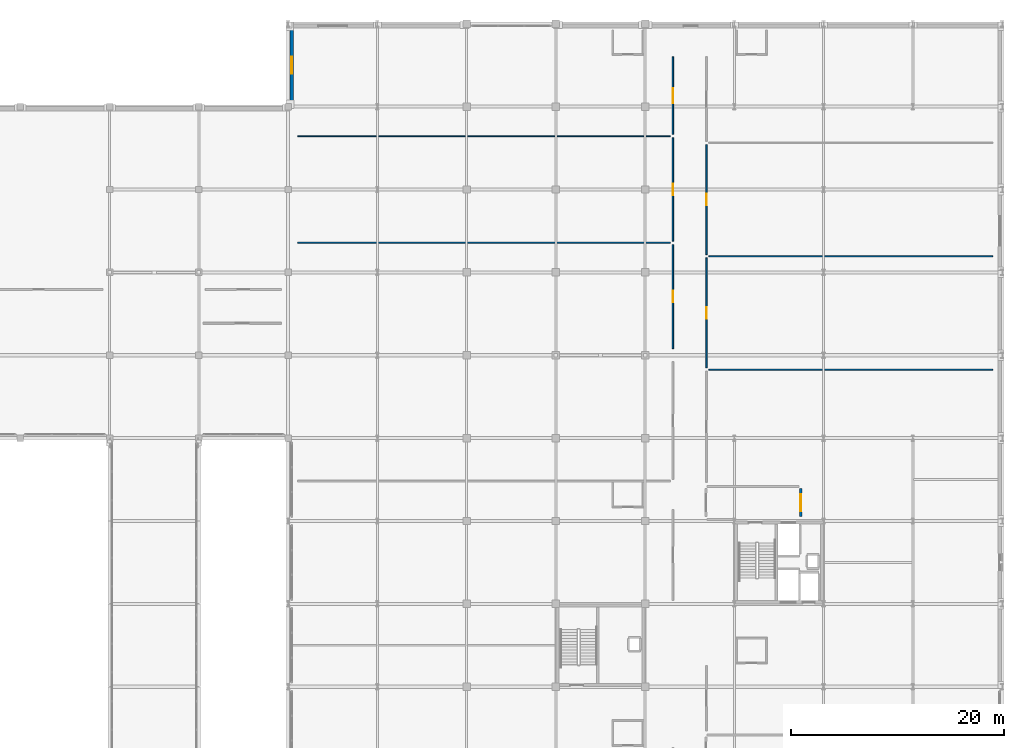
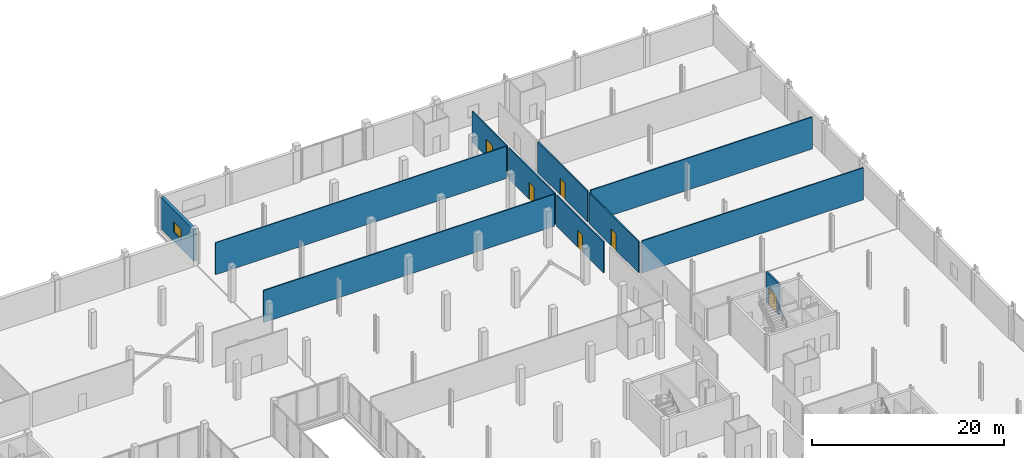
# One storey, part 76 of 98: 11 walls, 6 doors, 1 window, 7 openings.
"""IFC4 building model written with IfcOpenShell, lengths in metres."""

from ifc_helpers import new_model, si_unit, direction, frame, frame_2d, origin, place, context, subcontext, project, spatial, rectangle, extrude, material, layer, layer_set, type_object, element, fill, save


model = new_model("IFC4")

# Units and contexts
model_context = context("Model", 3, precision=1e-05, world=origin(), true_north=direction((0.0, 1.0)))
body_context = subcontext(model_context, "Body", "Model", "MODEL_VIEW")
ifc_project = project(units=[si_unit("LENGTHUNIT", "METRE"), si_unit("AREAUNIT", "SQUARE_METRE"), si_unit("VOLUMEUNIT", "CUBIC_METRE"), si_unit("PLANEANGLEUNIT", "RADIAN"), si_unit("MASSUNIT", "GRAM", prefix="KILO")], contexts=[model_context])

# Site, building, storey
site_placement = place(None, origin())
site = spatial("IfcSite", under=ifc_project, at=site_placement, CompositionType="ELEMENT")
building_placement = place(site_placement, origin())
building = spatial("IfcBuilding", under=site, at=building_placement, Name="Nabrawat Pavilion Hospital", CompositionType="ELEMENT")
storey_placement = place(building_placement, frame((0.0, 0.0, 10.199951171875)))
storey = spatial("IfcBuildingStorey", under=building, at=storey_placement, Name="L02", CompositionType="ELEMENT", Elevation=10.199951171875)

# Wall
ifc_material_1 = material(Name="Gypsum Plasterboard on Stud", Category="gypsum")
ifc_layer_1 = layer(ifc_material_1, 0.10009765625, Name="Gypsum Plasterboard on Stud")
ifc_layer_set_1 = layer_set([ifc_layer_1], Name="Gypsum Plasterboard on Stud")
wall_type_1 = type_object("IfcWallType", Name="Clean Utility Sub-Partition 100", PredefinedType="PARTITIONING", material=ifc_layer_set_1)
wall_1_placement = place(storey_placement, frame((126.889892578125, 114.219970703125, 0.0), z_axis=(0.0, 0.0, 1.0), x_axis=(1.0, 0.0, 0.0)))
element("IfcWall", 1, at=wall_1_placement, inside=storey, type_object=wall_type_1, Name="L02 Surgical Step-Down Acute Clinical Care Hub L02-06 Dividing Partition", PredefinedType="PARTITIONING", context=body_context, shape_type="SweptSolid", body=[
    extrude(rectangle(XDim=35.10009765625, YDim=0.10009765625, at=frame_2d((17.550048828125, 0.0))), origin(), (0.0, 0.0, 1.0), 4.080078125),
])

# Wall, opening, door
ifc_material_2 = material(Name="Gypsum Fireboard on Steel Stud", Category="steel")
ifc_layer_2 = layer(ifc_material_2, 0.14990234375, Name="Gypsum Fireboard on Steel Stud")
ifc_layer_set_2 = layer_set([ifc_layer_2], Name="Gypsum Fireboard on Steel Stud")
wall_type_2 = type_object("IfcWallType", Name="Clinical Corridor Smoke-Barrier Wall 150", PredefinedType="PARTITIONING", material=ifc_layer_set_2)
wall_2_placement = place(storey_placement, frame((162.2099609375, 94.219970703125, 0.0), z_axis=(0.0, 0.0, 1.0), x_axis=(0.0, 1.0, 0.0)))
wall_2 = element("IfcWall", 2, at=wall_2_placement, inside=storey, type_object=wall_type_2, Name="L02 Patient Quiet Reading Lounge L02-05 Front Partition", PredefinedType="PARTITIONING", context=body_context, shape_type="SweptSolid", body=[
    extrude(rectangle(XDim=9.800048828125, YDim=0.14990234375, at=frame_2d((4.89990234375, 0.0))), origin(), (0.0, 0.0, 1.0), 3.949951171875),
])
opening_1_placement = place(wall_2_placement, frame((4.375, 0.0, 0.0)))
opening_1 = element("IfcOpeningElement", 3, at=opening_1_placement, cuts=wall_2, Name="Opening D-OPC-R", PredefinedType="OPENING", context=body_context, shape_type="SweptSolid", body=[
    extrude(rectangle(XDim=1.050048828125, YDim=2.14990234375, at=frame_2d((0.52490234375, 1.074951171875))), frame((0.0, 0.0849609375, 0.0), z_axis=(0.0, -1.0, 0.0), x_axis=(1.0, 0.0, 0.0)), (0.0, 0.0, 1.0), 0.169921875),
])
ifc_material_3 = material(Name="Stainless-Clad Acoustic Timber and Vision Glass", Category="wood")
door_type_1 = type_object("IfcDoorType", Name="Outpatient Clinic Consultation Door R 1050x2150", OperationType="NOTDEFINED", PredefinedType="DOOR", material=ifc_material_3)
door_1_placement = place(opening_1_placement, origin())
door_1 = element("IfcDoor", 4, at=door_1_placement, inside=storey, type_object=door_type_1, Name="Patient Quiet Reading Lounge L02-05 Door", OperationType="SINGLE_SWING_LEFT", OverallHeight=2.14990234375, OverallWidth=1.050048828125, PredefinedType="DOOR", context=body_context, shape_type="SweptSolid", body=[
    extrude(rectangle(XDim=1.050048828125, YDim=2.14990234375, at=frame_2d((0.52490234375, 1.074951171875))), frame((0.0, 0.02490234375, 0.0), z_axis=(0.0, -1.0, 0.0), x_axis=(1.0, 0.0, 0.0)), (0.0, 0.0, 1.0), 0.050048828125),
])
fill(opening_1, door_1)

wall_3_placement = place(storey_placement, frame((162.2099609375, 104.340087890625, 0.0), z_axis=(0.0, 0.0, 1.0), x_axis=(0.0, 1.0, 0.0)))
wall_3 = element("IfcWall", 5, at=wall_3_placement, inside=storey, type_object=wall_type_2, Name="L02 Surgical Step-Down Acute Clinical Care Hub L02-06 Front Partition", PredefinedType="PARTITIONING", context=body_context, shape_type="SweptSolid", body=[
    extrude(rectangle(XDim=9.719970703125, YDim=0.14990234375, at=frame_2d((4.85986328125, 0.0))), origin(), (0.0, 0.0, 1.0), 3.949951171875),
])
opening_2_placement = place(wall_3_placement, frame((4.3349609375, 0.0, 0.0)))
opening_2 = element("IfcOpeningElement", 6, at=opening_2_placement, cuts=wall_3, Name="Opening D-OPC-L", PredefinedType="OPENING", context=body_context, shape_type="SweptSolid", body=[
    extrude(rectangle(XDim=1.050048828125, YDim=2.14990234375, at=frame_2d((0.52490234375, 1.074951171875))), frame((0.0, 0.0849609375, 0.0), z_axis=(0.0, -1.0, 0.0), x_axis=(1.0, 0.0, 0.0)), (0.0, 0.0, 1.0), 0.169921875),
])
door_type_2 = type_object("IfcDoorType", Name="Outpatient Clinic Consultation Door L 1050x2150", OperationType="NOTDEFINED", PredefinedType="DOOR", material=ifc_material_3)
door_2_placement = place(opening_2_placement, origin())
door_2 = element("IfcDoor", 7, at=door_2_placement, inside=storey, type_object=door_type_2, Name="Surgical Step-Down Acute Clinical Care Hub L02-06 Door", OperationType="SINGLE_SWING_RIGHT", OverallHeight=2.14990234375, OverallWidth=1.050048828125, PredefinedType="DOOR", context=body_context, shape_type="SweptSolid", body=[
    extrude(rectangle(XDim=1.050048828125, YDim=2.14990234375, at=frame_2d((0.52490234375, 1.074951171875))), frame((0.0, 0.02490234375, 0.0), z_axis=(0.0, -1.0, 0.0), x_axis=(1.0, 0.0, 0.0)), (0.0, 0.0, 1.0), 0.050048828125),
])
fill(opening_2, door_2)

wall_4_placement = place(storey_placement, frame((162.2099609375, 114.3798828125, 0.0), z_axis=(0.0, 0.0, 1.0), x_axis=(0.0, 1.0, 0.0)))
wall_4 = element("IfcWall", 8, at=wall_4_placement, inside=storey, type_object=wall_type_2, Name="L02 Inpatient Ward Surgical Single Bedroom L02-07 Front Partition", PredefinedType="PARTITIONING", context=body_context, shape_type="SweptSolid", body=[
    extrude(rectangle(XDim=7.2900390625, YDim=0.14990234375, at=frame_2d((3.64501953125, 0.0))), origin(), (0.0, 0.0, 1.0), 3.949951171875),
])
opening_3_placement = place(wall_4_placement, frame((2.945068359375, 0.0, 0.0)))
opening_3 = element("IfcOpeningElement", 9, at=opening_3_placement, cuts=wall_4, Name="Opening D-BED", PredefinedType="OPENING", context=body_context, shape_type="SweptSolid", body=[
    extrude(rectangle(XDim=1.39990234375, YDim=2.199951171875, at=frame_2d((0.699951171875, 1.10009765625))), frame((0.0, 0.0849609375, 0.0), z_axis=(0.0, -1.0, 0.0), x_axis=(1.0, 0.0, 0.0)), (0.0, 0.0, 1.0), 0.169921875),
])
door_type_3 = type_object("IfcDoorType", Name="D-BED Inpatient Ward Leaf-and-a-Half Door 1400x2200", OperationType="NOTDEFINED", PredefinedType="DOOR", material=ifc_material_3)
door_3_placement = place(opening_3_placement, origin())
door_3 = element("IfcDoor", 10, at=door_3_placement, inside=storey, type_object=door_type_3, Name="Inpatient Ward Surgical Single Bedroom L02-07 Door", OperationType="SINGLE_SWING_LEFT", OverallHeight=2.199951171875, OverallWidth=1.39990234375, PredefinedType="DOOR", context=body_context, shape_type="SweptSolid", body=[
    extrude(rectangle(XDim=1.39990234375, YDim=2.199951171875, at=frame_2d((0.699951171875, 1.10009765625))), frame((0.0, 0.02490234375, 0.0), z_axis=(0.0, -1.0, 0.0), x_axis=(1.0, 0.0, 0.0)), (0.0, 0.0, 1.0), 0.050048828125),
])
fill(opening_3, door_3)

wall_5_placement = place(storey_placement, frame((165.389892578125, 92.402587890625, 0.0), z_axis=(0.0, 0.0, 1.0), x_axis=(0.0, 1.0, 0.0)))
wall_5 = element("IfcWall", 11, at=wall_5_placement, inside=storey, type_object=wall_type_2, Name="L02 Patient Quiet Reading Lounge L02-11 Front Partition", PredefinedType="PARTITIONING", context=body_context, shape_type="SweptSolid", body=[
    extrude(rectangle(XDim=10.352294921875, YDim=0.14990234375, at=frame_2d((5.17626953125, 0.0))), origin(), (0.0, 0.0, 1.0), 3.949951171875),
])
opening_4_placement = place(wall_5_placement, frame((4.651123046875, 0.0, 0.0)))
opening_4 = element("IfcOpeningElement", 12, at=opening_4_placement, cuts=wall_5, Name="Opening D-OPC-R", PredefinedType="OPENING", context=body_context, shape_type="SweptSolid", body=[
    extrude(rectangle(XDim=1.050048828125, YDim=2.14990234375, at=frame_2d((0.52490234375, 1.074951171875))), frame((0.0, 0.0849609375, 0.0), z_axis=(0.0, -1.0, 0.0), x_axis=(1.0, 0.0, 0.0)), (0.0, 0.0, 1.0), 0.169921875),
])
door_4_placement = place(opening_4_placement, origin())
door_4 = element("IfcDoor", 13, at=door_4_placement, inside=storey, type_object=door_type_1, Name="Patient Quiet Reading Lounge L02-11 Door", OperationType="SINGLE_SWING_LEFT", OverallHeight=2.14990234375, OverallWidth=1.050048828125, PredefinedType="DOOR", context=body_context, shape_type="SweptSolid", body=[
    extrude(rectangle(XDim=1.050048828125, YDim=2.14990234375, at=frame_2d((0.52490234375, 1.074951171875))), frame((0.0, 0.02490234375, 0.0), z_axis=(0.0, -1.0, 0.0), x_axis=(1.0, 0.0, 0.0)), (0.0, 0.0, 1.0), 0.050048828125),
])
fill(opening_4, door_4)

wall_6_placement = place(storey_placement, frame((165.389892578125, 103.074951171875, 0.0), z_axis=(0.0, 0.0, 1.0), x_axis=(0.0, 1.0, 0.0)))
wall_6 = element("IfcWall", 14, at=wall_6_placement, inside=storey, type_object=wall_type_2, Name="L02 Surgical Step-Down Acute Clinical Care Hub L02-12 Front Partition", PredefinedType="PARTITIONING", context=body_context, shape_type="SweptSolid", body=[
    extrude(rectangle(XDim=10.3525390625, YDim=0.14990234375, at=frame_2d((5.17626953125, 0.0))), origin(), (0.0, 0.0, 1.0), 3.949951171875),
])
opening_5_placement = place(wall_6_placement, frame((4.651123046875, 0.0, 0.0)))
opening_5 = element("IfcOpeningElement", 15, at=opening_5_placement, cuts=wall_6, Name="Opening D-OPC-L", PredefinedType="OPENING", context=body_context, shape_type="SweptSolid", body=[
    extrude(rectangle(XDim=1.050048828125, YDim=2.14990234375, at=frame_2d((0.52490234375, 1.074951171875))), frame((0.0, 0.0849609375, 0.0), z_axis=(0.0, -1.0, 0.0), x_axis=(1.0, 0.0, 0.0)), (0.0, 0.0, 1.0), 0.169921875),
])
door_5_placement = place(opening_5_placement, origin())
door_5 = element("IfcDoor", 16, at=door_5_placement, inside=storey, type_object=door_type_2, Name="Surgical Step-Down Acute Clinical Care Hub L02-12 Door", OperationType="SINGLE_SWING_RIGHT", OverallHeight=2.14990234375, OverallWidth=1.050048828125, PredefinedType="DOOR", context=body_context, shape_type="SweptSolid", body=[
    extrude(rectangle(XDim=1.050048828125, YDim=2.14990234375, at=frame_2d((0.52490234375, 1.074951171875))), frame((0.0, 0.02490234375, 0.0), z_axis=(0.0, -1.0, 0.0), x_axis=(1.0, 0.0, 0.0)), (0.0, 0.0, 1.0), 0.050048828125),
])
fill(opening_5, door_5)

ifc_material_4 = material(Name="Concrete C35/45", Category="concrete")
ifc_layer_3 = layer(ifc_material_4, 0.199951171875, Name="Concrete C35/45")
ifc_layer_set_3 = layer_set([ifc_layer_3], Name="Concrete C35/45")
wall_type_3 = type_object("IfcWallType", Name="Firefighting Lobby Compartment Wall 200", PredefinedType="PARTITIONING", material=ifc_layer_set_3)
wall_7_placement = place(storey_placement, frame((174.25, 78.39990234375, 0.0), z_axis=(0.0, 0.0, 1.0), x_axis=(0.0, 1.0, 0.0)))
wall_7 = element("IfcWall", 17, at=wall_7_placement, inside=storey, type_object=wall_type_3, Name="L02 CORE-6 Firefighting Lobby East Compartment Wall", PredefinedType="PARTITIONING", context=body_context, shape_type="SweptSolid", body=[
    extrude(rectangle(XDim=2.650146484375, YDim=0.199951171875, at=frame_2d((1.3251953125, 0.0))), origin(), (0.0, 0.0, 1.0), 3.949951171875),
])
opening_6_placement = place(wall_7_placement, frame((0.52490234375, 0.0, 0.0)))
opening_6 = element("IfcOpeningElement", 18, at=opening_6_placement, cuts=wall_7, Name="Opening D-FFL", PredefinedType="OPENING", context=body_context, shape_type="SweptSolid", body=[
    extrude(rectangle(XDim=1.60009765625, YDim=2.199951171875, at=frame_2d((0.800048828125, 1.10009765625))), frame((0.0, 0.10986328125, 0.0), z_axis=(0.0, -1.0, 0.0), x_axis=(1.0, 0.0, 0.0)), (0.0, 0.0, 1.0), 0.219970703125),
])
door_type_4 = type_object("IfcDoorType", Name="D-FFL Firefighting Lobby Double Smoke Door 1600x2200", OperationType="NOTDEFINED", PredefinedType="DOOR", material=ifc_material_3)
door_6_placement = place(opening_6_placement, origin())
door_6 = element("IfcDoor", 19, at=door_6_placement, inside=storey, type_object=door_type_4, Name="L02 CORE-6 Firefighting Lobby East Smoke Door", OperationType="DOUBLE_DOOR_SINGLE_SWING", OverallHeight=2.199951171875, OverallWidth=1.60009765625, PredefinedType="DOOR", context=body_context, shape_type="SweptSolid", body=[
    extrude(rectangle(XDim=1.60009765625, YDim=2.199951171875, at=frame_2d((0.800048828125, 1.10009765625))), frame((0.0, 0.02490234375, 0.0), z_axis=(0.0, -1.0, 0.0), x_axis=(1.0, 0.0, 0.0)), (0.0, 0.0, 1.0), 0.050048828125),
])
fill(opening_6, door_6)

# Walls
ifc_layer_4 = layer(ifc_material_1, 0.1201171875, Name="Gypsum Plasterboard on Stud")
ifc_layer_set_4 = layer_set([ifc_layer_4], Name="Gypsum Plasterboard on Stud")
wall_type_4 = type_object("IfcWallType", Name="Outpatient Consultation Partition 120", PredefinedType="PARTITIONING", material=ifc_layer_set_4)
wall_8_placement = place(storey_placement, frame((126.889892578125, 104.179931640625, 0.0), z_axis=(0.0, 0.0, 1.0), x_axis=(1.0, 0.0, 0.0)))
element("IfcWall", 20, at=wall_8_placement, inside=storey, type_object=wall_type_4, Name="L02 Patient Quiet Reading Lounge L02-05 Dividing Partition", PredefinedType="PARTITIONING", context=body_context, shape_type="SweptSolid", body=[
    extrude(rectangle(XDim=35.10009765625, YDim=0.1201171875, at=frame_2d((17.550048828125, 0.0))), origin(), (0.0, 0.0, 1.0), 4.080078125),
])
for number, where, z_axis, x_axis, name in (
    (21, (165.610107421875, 92.242431640625, 0.0), (0.0, 0.0, 1.0), (1.0, 0.0, 0.0), "L02 Surgical Ward Nurse Station L02-10 Dividing Partition"),
    (22, (165.610107421875, 102.9150390625, 0.0), (0.0, 0.0, 1.0), (1.0, 0.0, 0.0), "L02 Patient Quiet Reading Lounge L02-11 Dividing Partition"),
):
    element("IfcWall", number, at=place(storey_placement, frame(where, z_axis=z_axis, x_axis=x_axis)), inside=storey, type_object=wall_type_4, Name=name, PredefinedType="PARTITIONING", context=body_context, shape_type="SweptSolid", body=[
        extrude(rectangle(XDim=26.699951171875, YDim=0.1201171875, at=frame_2d((13.35009765625, 0.0))), origin(), (0.0, 0.0, 1.0), 4.080078125),
    ])

# Wall, opening, window
ifc_material_5 = material(Name="Precast concrete C40/50", Category="concrete")
ifc_layer_5 = layer(ifc_material_5, 0.360107421875, Name="Precast concrete C40/50")
ifc_layer_set_5 = layer_set([ifc_layer_5], Name="Precast concrete C40/50")
wall_type_5 = type_object("IfcWallType", Name="Surgical Acoustic Precast Facade Wall 360", PredefinedType="SOLIDWALL", material=ifc_layer_set_5)
wall_9_placement = place(storey_placement, frame((126.340087890625, 117.43994140625, 0.0), z_axis=(0.0, 0.0, 1.0), x_axis=(0.0, 1.0, 0.0)))
wall_9 = element("IfcWall", 23, at=wall_9_placement, inside=storey, type_object=wall_type_5, Name="L02 Surgical Acoustic Precast Facade Wall 360 278", PredefinedType="SOLIDWALL", context=body_context, shape_type="SweptSolid", body=[
    extrude(rectangle(XDim=6.920166015625, YDim=0.360107421875, at=frame_2d((3.4599609375, 0.0))), origin(), (0.0, 0.0, 1.0), 3.989990234375),
])
opening_7_placement = place(wall_9_placement, frame((2.659912109375, 0.0, 1.14990234375)))
opening_7 = element("IfcOpeningElement", 24, at=opening_7_placement, cuts=wall_9, Name="Opening WN-08", PredefinedType="OPENING", context=body_context, shape_type="SweptSolid", body=[
    extrude(rectangle(XDim=1.60009765625, YDim=1.300048828125, at=frame_2d((0.800048828125, 0.64990234375))), frame((0.0, 0.18994140625, 0.0), z_axis=(0.0, -1.0, 0.0), x_axis=(1.0, 0.0, 0.0)), (0.0, 0.0, 1.0), 0.380126953125),
])
ifc_material_6 = material(Name="Thermally Broken Aluminium and Solar Glass", Category="aluminium")
window_type = type_object("IfcWindowType", Name="Surgical Scrub Borrowed-Light Window 1600x1300", PartitioningType="SINGLE_PANEL", PredefinedType="WINDOW", material=ifc_material_6)
window_placement = place(opening_7_placement, origin())
window = element("IfcWindow", 25, at=window_placement, inside=storey, type_object=window_type, Name="L02 Surgical Scrub Borrowed-Light Window 1600x1300 104", OverallHeight=1.300048828125, OverallWidth=1.60009765625, PartitioningType="SINGLE_PANEL", PredefinedType="WINDOW", context=body_context, shape_type="SweptSolid", body=[
    extrude(rectangle(XDim=1.60009765625, YDim=1.300048828125, at=frame_2d((0.800048828125, 0.64990234375))), frame((0.0, 0.030029296875, 0.0), z_axis=(0.0, -1.0, 0.0), x_axis=(1.0, 0.0, 0.0)), (0.0, 0.0, 1.0), 0.06005859375),
])
fill(opening_7, window)

save(model, "model.ifc")
